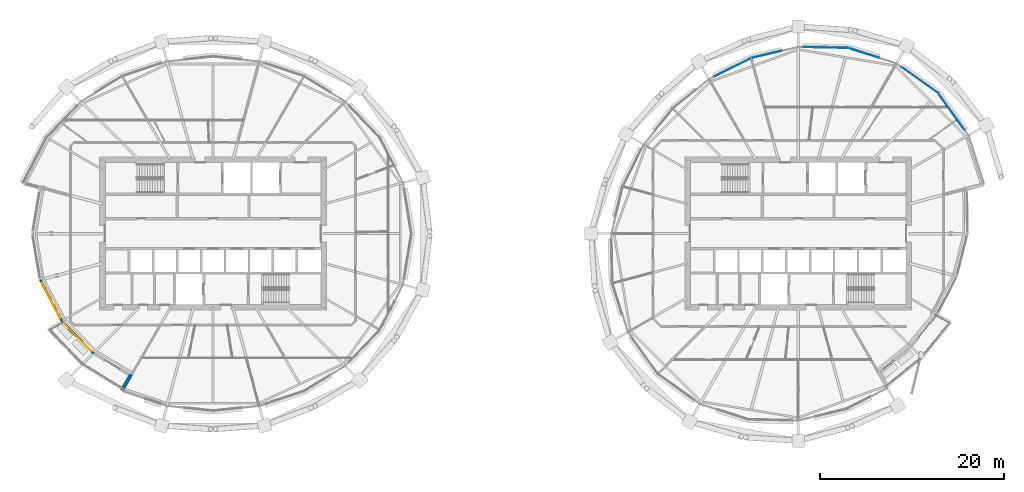
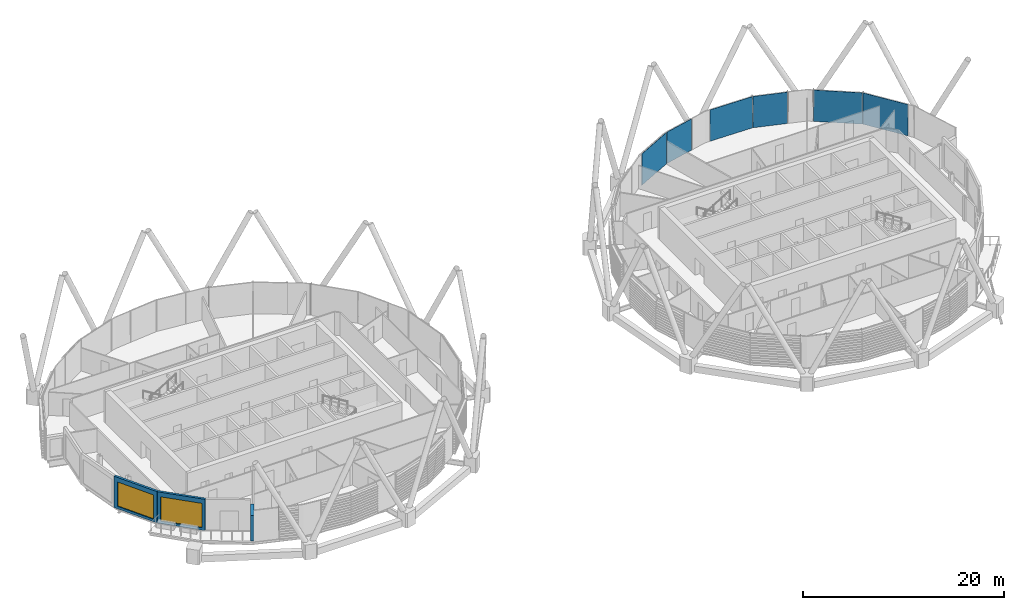
# One storey, part 21 of 36: 6 plates, 3 walls, 2 windows, 2 openings, 1 element without a shape of its own.
"""IFC4 building model written with IfcOpenShell, lengths in metres."""

from ifc_helpers import new_model, si_unit, direction, frame, frame_2d, origin, origin_2d, place, context, subcontext, project, spatial, rectangle, extrude, material, layer, layer_set, type_object, element, fill, aggregate, save


model = new_model("IFC4")

# Units and contexts
model_context = context("Model", 3, precision=1e-05, world=origin(), true_north=direction((0.0, 1.0)))
body_context = subcontext(model_context, "Body", "Model", "MODEL_VIEW")
ifc_project = project(units=[si_unit("LENGTHUNIT", "METRE"), si_unit("AREAUNIT", "SQUARE_METRE"), si_unit("VOLUMEUNIT", "CUBIC_METRE"), si_unit("PLANEANGLEUNIT", "RADIAN"), si_unit("MASSUNIT", "GRAM", prefix="KILO")], contexts=[model_context])

# Site, building, storey
site_placement = place(None, origin())
site = spatial("IfcSite", under=ifc_project, at=site_placement, CompositionType="ELEMENT")
building_placement = place(site_placement, origin())
building = spatial("IfcBuilding", under=site, at=building_placement, Name="Rimbun Link Towers", CompositionType="ELEMENT")
storey_placement = place(building_placement, frame((0.0, 0.0, 193.10009765625)))
storey = spatial("IfcBuildingStorey", under=building, at=storey_placement, Name="L47", CompositionType="ELEMENT", Elevation=193.10009765625)

# Curtain wall, plates
ifc_material_1 = material(Name="Aluminium 6063-T6 and low-iron glass", Category="aluminium")
curtain_wall_type = type_object("IfcCurtainWallType", Name="CW1-Z3 unitised vision wall (zone 3)", PredefinedType="NOTDEFINED", material=ifc_material_1)
curtain_wall_placement = place(storey_placement, origin())
curtain_wall = element("IfcCurtainWall", 1, at=curtain_wall_placement, inside=storey, type_object=curtain_wall_type, Name="CW1 L47 T2", PredefinedType="NOTDEFINED")
ifc_material_2 = material(Name="Low-iron glass, laminated low-e unit", Category="glass")
ifc_layer_1 = layer(ifc_material_2, 0.028076171875)
ifc_layer_set_1 = layer_set([ifc_layer_1], Name="CW1 panel Low-iron glass 28")
plate_type = type_object("IfcPlateType", Name="CW1 panel Low-iron glass 28", PredefinedType="CURTAIN_PANEL", material=ifc_layer_set_1)
plate_1_placement = place(storey_placement, frame((44.943359375, 16.641845703125, 0.0), z_axis=(0.0, 0.0, 1.0), x_axis=(0.81246545613, -0.583009333198, 0.0)))
plate_1 = element("IfcPlate", 2, at=plate_1_placement, type_object=plate_type, Name="CW1 panel", PredefinedType="CURTAIN_PANEL", context=body_context, shape_type="SweptSolid", body=[
    extrude(rectangle(XDim=4.8974609375, YDim=0.028076171875, at=origin_2d()), origin(), (0.0, 0.0, 1.0), 3.800048828125),
])
plate_2_placement = place(storey_placement, frame((38.846435546875, 19.593994140625, 0.0), z_axis=(0.0, 0.0, 1.0), x_axis=(0.952967886603, -0.303071290464, 0.0)))
plate_2 = element("IfcPlate", 3, at=plate_2_placement, type_object=plate_type, Name="CW1 panel", PredefinedType="CURTAIN_PANEL", context=body_context, shape_type="SweptSolid", body=[
    extrude(rectangle(XDim=3.529541015625, YDim=0.028076171875, at=origin_2d()), origin(), (0.0, 0.0, 1.0), 3.800048828125),
])
plate_3_placement = place(storey_placement, frame((34.720947265625, 20.1865234375, 0.0), z_axis=(0.0, 0.0, 1.0), x_axis=(0.999778097154, -0.021065527565, 0.0)))
plate_3 = element("IfcPlate", 4, at=plate_3_placement, type_object=plate_type, Name="CW1 panel", PredefinedType="CURTAIN_PANEL", context=body_context, shape_type="SweptSolid", body=[
    extrude(rectangle(XDim=4.802734375, YDim=0.028076171875, at=origin_2d()), origin(), (0.0, 0.0, 1.0), 3.800048828125),
])
plate_4_placement = place(storey_placement, frame((28.32373046875, 19.429931640625, 0.0), z_axis=(0.0, 0.0, 1.0), x_axis=(0.972568754126, 0.23261560244, 0.0)))
plate_4 = element("IfcPlate", 5, at=plate_4_placement, type_object=plate_type, Name="CW1 panel", PredefinedType="CURTAIN_PANEL", context=body_context, shape_type="SweptSolid", body=[
    extrude(rectangle(XDim=3.399169921875, YDim=0.028076171875, at=origin_2d()), origin(), (0.0, 0.0, 1.0), 3.800048828125),
])
plate_5_placement = place(storey_placement, frame((24.6357421875, 18.018310546875, 0.0), z_axis=(0.0, 0.0, 1.0), x_axis=(0.893646073156, 0.448772432233, 0.0)))
plate_5 = element("IfcPlate", 6, at=plate_5_placement, type_object=plate_type, Name="CW1 panel", PredefinedType="CURTAIN_PANEL", context=body_context, shape_type="SweptSolid", body=[
    extrude(rectangle(XDim=4.464111328125, YDim=0.028076171875, at=origin_2d()), origin(), (0.0, 0.0, 1.0), 3.800048828125),
])
plate_6_placement = place(storey_placement, frame((48.391845703125, 13.193359375, 0.0), z_axis=(0.0, 0.0, 1.0), x_axis=(0.583009333198, -0.81246545613, 0.0)))
plate_6 = element("IfcPlate", 7, at=plate_6_placement, type_object=plate_type, Name="CW1 panel", PredefinedType="CURTAIN_PANEL", context=body_context, shape_type="SweptSolid", body=[
    extrude(rectangle(XDim=4.8974609375, YDim=0.028076171875, at=origin_2d()), origin(), (0.0, 0.0, 1.0), 3.800048828125),
])
aggregate(curtain_wall, [plate_1, plate_2, plate_3, plate_4, plate_5, plate_6])

# Wall, opening, window
ifc_material_3 = material(Name="Dark enamelled glass spandrel on insulated aluminium backpan", Category="aluminium")
ifc_layer_2 = layer(ifc_material_3, 0.25)
ifc_layer_set_2 = layer_set([ifc_layer_2], Name="CS dark enamelled spandrel wall 250")
wall_type_1 = type_object("IfcWallType", Name="CS dark enamelled spandrel wall 250", PredefinedType="STANDARD", material=ifc_layer_set_2)
wall_1_placement = place(storey_placement, frame((-48.160400390625, -9.490234375, 0.0), z_axis=(0.0, 0.0, 1.0), x_axis=(-0.467355484164, 0.884069483368, 0.0)))
wall_1 = element("IfcWall", 8, at=wall_1_placement, inside=storey, type_object=wall_type_1, Name="Crease spandrel wall", PredefinedType="STANDARD", context=body_context, shape_type="SweptSolid", body=[
    extrude(rectangle(XDim=5.037841796875, YDim=0.25, at=frame_2d((2.51904296875, 0.0))), origin(), (0.0, 0.0, 1.0), 3.7998046875),
])
opening_1_placement = place(wall_1_placement, frame((0.393798828125, 0.0, 0.300048828125)))
opening_1 = element("IfcOpeningElement", 9, at=opening_1_placement, cuts=wall_1, Name="Opening WR42H295", PredefinedType="OPENING", context=body_context, shape_type="SweptSolid", body=[
    extrude(rectangle(XDim=4.25, YDim=2.949951171875, at=frame_2d((2.125, 1.47509765625))), frame((0.0, 0.135009765625, 0.0), z_axis=(0.0, -1.0, 0.0), x_axis=(1.0, 0.0, 0.0)), (0.0, 0.0, 1.0), 0.27001953125),
])
ifc_material_4 = material(Name="Aluminium framed fixed window, dark tinted low-e glass", Category="aluminium")
window_type = type_object("IfcWindowType", Name="WR ribbon window 4250X2950", PartitioningType="SINGLE_PANEL", PredefinedType="WINDOW", material=ifc_material_4)
window_1_placement = place(opening_1_placement, origin())
window_1 = element("IfcWindow", 10, at=window_1_placement, inside=storey, type_object=window_type, Name="Crease ribbon window", OverallHeight=2.949951171875, OverallWidth=4.25, PartitioningType="SINGLE_PANEL", PredefinedType="WINDOW", context=body_context, shape_type="SweptSolid", body=[
    extrude(rectangle(XDim=4.25, YDim=2.949951171875, at=frame_2d((2.125, 1.47509765625))), frame((0.0, 0.030029296875, 0.0), z_axis=(0.0, -1.0, 0.0), x_axis=(1.0, 0.0, 0.0)), (0.0, 0.0, 1.0), 0.06005859375),
])
fill(opening_1, window_1)

wall_2_placement = place(storey_placement, frame((-44.72216796875, -12.9931640625, 0.0), z_axis=(0.0, 0.0, 1.0), x_axis=(-0.700485544397, 0.713666590287, 0.0)))
wall_2 = element("IfcWall", 11, at=wall_2_placement, inside=storey, type_object=wall_type_1, Name="Crease spandrel wall", PredefinedType="STANDARD", context=body_context, shape_type="SweptSolid", body=[
    extrude(rectangle(XDim=4.908447265625, YDim=0.25, at=frame_2d((2.4541015625, 0.0))), origin(), (0.0, 0.0, 1.0), 3.7998046875),
])
opening_2_placement = place(wall_2_placement, frame((0.329345703125, 0.0, 0.300048828125)))
opening_2 = element("IfcOpeningElement", 12, at=opening_2_placement, cuts=wall_2, Name="Opening WR42H295", PredefinedType="OPENING", context=body_context, shape_type="SweptSolid", body=[
    extrude(rectangle(XDim=4.25, YDim=2.949951171875, at=frame_2d((2.125, 1.47509765625))), frame((0.0, 0.135009765625, 0.0), z_axis=(0.0, -1.0, 0.0), x_axis=(1.0, 0.0, 0.0)), (0.0, 0.0, 1.0), 0.27001953125),
])
window_2_placement = place(opening_2_placement, origin())
window_2 = element("IfcWindow", 13, at=window_2_placement, inside=storey, type_object=window_type, Name="Crease ribbon window", OverallHeight=2.949951171875, OverallWidth=4.25, PartitioningType="SINGLE_PANEL", PredefinedType="WINDOW", context=body_context, shape_type="SweptSolid", body=[
    extrude(rectangle(XDim=4.25, YDim=2.949951171875, at=frame_2d((2.125, 1.47509765625))), frame((0.0, 0.030029296875, 0.0), z_axis=(0.0, -1.0, 0.0), x_axis=(1.0, 0.0, 0.0)), (0.0, 0.0, 1.0), 0.06005859375),
])
fill(opening_2, window_2)

# Wall
ifc_material_5 = material(Name="Dark enamelled glass spandrel on insulated aluminium backpan", Category="aluminium")
ifc_layer_3 = layer(ifc_material_5, 0.3701171875)
ifc_layer_set_3 = layer_set([ifc_layer_3], Name="CS dark enamelled spandrel wall 370")
wall_type_2 = type_object("IfcWallType", Name="CS dark enamelled spandrel wall 370", PredefinedType="STANDARD", material=ifc_layer_set_3)
wall_3_placement = place(storey_placement, frame((-41.639892578125, -17.0, 0.0), z_axis=(0.0, 0.0, 1.0), x_axis=(0.499971491109, 0.866041862775, 0.0)))
element("IfcWall", 14, at=wall_3_placement, inside=storey, type_object=wall_type_2, Name="Crease spandrel wall", PredefinedType="STANDARD", context=body_context, shape_type="SweptSolid", body=[
    extrude(rectangle(XDim=1.97998046875, YDim=0.3701171875, at=frame_2d((0.989990234375, 0.0))), origin(), (0.0, 0.0, 1.0), 3.10693359375),
])

save(model, "model.ifc")
